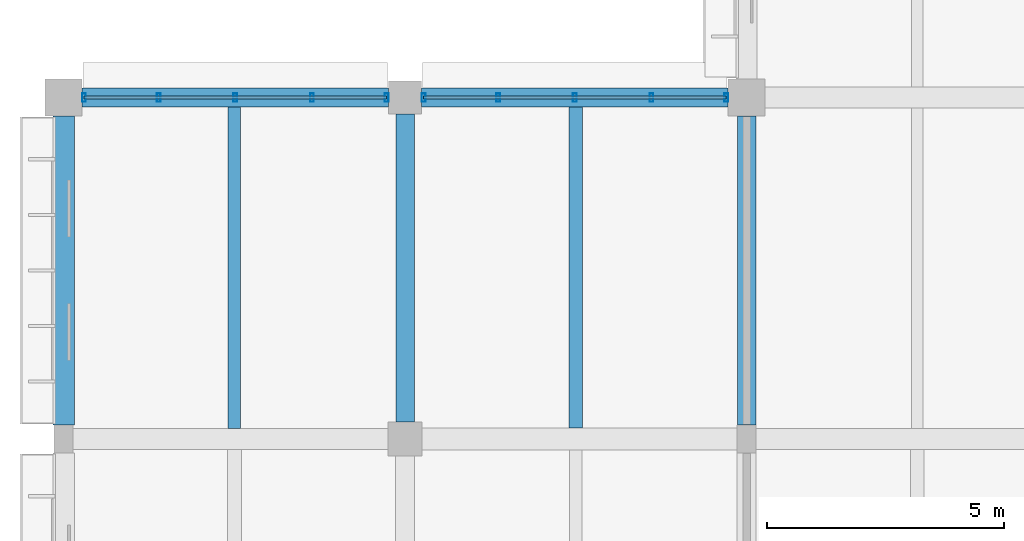
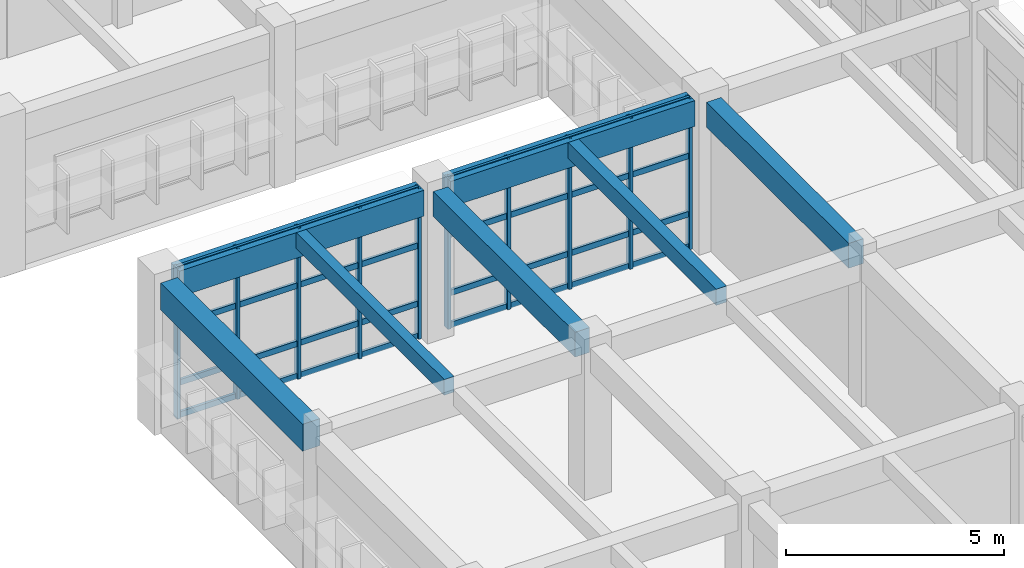
# One storey, part 51 of 171: 18 members, 7 beams, 2 elements without a shape of their own.
"""IFC4 building model written with IfcOpenShell, lengths in metres."""

import ifcopenshell
import ifcopenshell.guid

model = None  # the IFC model being written
_history = None  # IfcOwnerHistory: only IFC2X3 demands one
_inside = {}  # id of a spatial element -> (the spatial element, [elements in it])
_under = {}  # id of a project, library or spatial element -> (it, [spatial elements below it])
_declared = {}  # id of a project -> (the project, [libraries it declares])
_typed = {}  # id of a type object -> (the type object, [elements of that type])
_made_of = {}  # id of a material, layer set ... -> (it, [elements and type objects made of it])


def new_model(schema):
    """Start an empty IFC model of exactly this schema.

    Asked for "IFC4X3", IfcOpenShell would pick the latest addendum, in which some entities
    have other attributes; the version numbers below select the first issue.
    IFC2X3 requires an IfcOwnerHistory on every rooted entity: one is made here for all.
    """
    global model, _history
    if schema == "IFC4X3":
        model = ifcopenshell.file(schema_version=(4, 3, 0, 0))
    else:
        model = ifcopenshell.file(schema=schema)
    _inside.clear()
    _under.clear()
    _declared.clear()
    _typed.clear()
    _made_of.clear()
    _history = None
    if model.schema == "IFC2X3":
        org = make("IfcOrganization", Name="unknown")
        user = make(
            "IfcPersonAndOrganization",
            ThePerson=make("IfcPerson", FamilyName="unknown"),
            TheOrganization=org,
        )
        app = make(
            "IfcApplication",
            ApplicationDeveloper=org,
            Version="unknown",
            ApplicationFullName="unknown",
            ApplicationIdentifier="unknown",
        )
        _history = make(
            "IfcOwnerHistory",
            OwningUser=user,
            OwningApplication=app,
            ChangeAction="ADDED",
            CreationDate=0,
        )
    return model


def make(cls, **values):
    """One entity of the class cls with the attributes given. An attribute that is None is left unset."""
    return model.create_entity(
        cls, **{name: value for name, value in values.items() if value is not None}
    )


def rooted(cls, **values):
    """An entity with a GlobalId (a new one), such as an element, a storey or a relation."""
    return make(cls, GlobalId=ifcopenshell.guid.new(), OwnerHistory=_history, **values)


def si_unit(unit_type, name, prefix=None):
    """IfcSIUnit, for example si_unit("LENGTHUNIT", "METRE", prefix="MILLI")."""
    return make("IfcSIUnit", UnitType=unit_type, Prefix=prefix, Name=name)


def assignment(units):
    """IfcUnitAssignment: the units of a project."""
    return None if units is None else make("IfcUnitAssignment", Units=units)


def point(xyz):
    """IfcCartesianPoint."""
    return None if xyz is None else make("IfcCartesianPoint", Coordinates=xyz)


def direction(xyz):
    """IfcDirection."""
    return None if xyz is None else make("IfcDirection", DirectionRatios=xyz)


def frame(location, z_axis=None, x_axis=None):
    """IfcAxis2Placement3D, a coordinate frame: its origin and axes. An axis left out is left unset."""
    return make(
        "IfcAxis2Placement3D",
        Location=point(location),
        Axis=direction(z_axis),
        RefDirection=direction(x_axis),
    )


def frame_2d(location, x_axis=None):
    """IfcAxis2Placement2D, a coordinate frame in the plane: its origin and x axis."""
    return make(
        "IfcAxis2Placement2D", Location=point(location), RefDirection=direction(x_axis)
    )


def origin():
    """The frame at (0, 0, 0) with its axes left unset."""
    return frame((0.0, 0.0, 0.0))


def origin_2d():
    """The frame at (0, 0) in the plane with its x axis left unset."""
    return frame_2d((0.0, 0.0))


def place(relative_to, where):
    """IfcLocalPlacement: puts the frame where relative to a parent placement (None: the world)."""
    return make(
        "IfcLocalPlacement", PlacementRelTo=relative_to, RelativePlacement=where
    )


def context(
    kind, dimensions, precision=None, world=None, true_north=None, identifier=None
):
    """IfcGeometricRepresentationContext, for example the 3D "Model" context."""
    return make(
        "IfcGeometricRepresentationContext",
        ContextIdentifier=identifier,
        ContextType=kind,
        CoordinateSpaceDimension=dimensions,
        Precision=precision,
        WorldCoordinateSystem=world,
        TrueNorth=true_north,
    )


def subcontext(parent, identifier, kind, view, scale=None):
    """IfcGeometricRepresentationSubContext, for example "Body" below "Model"."""
    return make(
        "IfcGeometricRepresentationSubContext",
        ContextIdentifier=identifier,
        ContextType=kind,
        ParentContext=parent,
        TargetScale=scale,
        TargetView=view,
    )


def project(units=None, contexts=None):
    """IfcProject with its units and contexts."""
    return rooted(
        "IfcProject",
        Name="project",
        RepresentationContexts=contexts,
        UnitsInContext=assignment(units),
    )


def spatial(cls, under=None, at=None, **own):
    """A site, building, storey or space (cls), placed at a placement, below another one or the project."""
    s = rooted(cls, ObjectPlacement=at, **own)
    if under is not None:
        _under.setdefault(under.id(), (under, []))[1].append(s)
    return s


def profile(cls, at=None, kind="AREA", **sizes):
    """A parametric profile (cls). Its sizes go by their IFC names, for example OverallWidth=200.0."""
    return make(cls, ProfileType=kind, Position=at, **sizes)


def rectangle(**sizes):
    """IfcRectangleProfileDef."""
    return profile("IfcRectangleProfileDef", **sizes)


def hollow_rectangle(**sizes):
    """IfcRectangleHollowProfileDef."""
    return profile("IfcRectangleHollowProfileDef", **sizes)


def extrude(swept, where, along, depth):
    """IfcExtrudedAreaSolid: the profile swept, set in the frame where, extruded along a direction by depth."""
    return make(
        "IfcExtrudedAreaSolid",
        SweptArea=swept,
        Position=where,
        ExtrudedDirection=direction(along),
        Depth=depth,
    )


def shape(context_of_items, identifier, shape_type, items):
    """IfcShapeRepresentation: the items that make up one representation, for example the "Body"."""
    return make(
        "IfcShapeRepresentation",
        ContextOfItems=context_of_items,
        RepresentationIdentifier=identifier,
        RepresentationType=shape_type,
        Items=items,
    )


def material(Name=None, Category=None):
    """IfcMaterial."""
    return make("IfcMaterial", Name=Name, Category=Category)


def material_profile(
    of_material, cross_section, Name=None, Category=None, Priority=None
):
    """IfcMaterialProfile: a cross section and its material."""
    return make(
        "IfcMaterialProfile",
        Name=Name,
        Material=of_material,
        Profile=cross_section,
        Priority=Priority,
        Category=Category,
    )


def profile_set(profiles, Name=None, composite=None):
    """IfcMaterialProfileSet."""
    return make(
        "IfcMaterialProfileSet",
        Name=Name,
        MaterialProfiles=profiles,
        CompositeProfile=composite,
    )


def made_of(thing, what):
    """Note that an element or type object is made of a material, layer set ...; save() writes the relation."""
    if what is not None:
        _made_of.setdefault(what.id(), (what, []))[1].append(thing)
    return thing


def type_object(cls, material=None, **own):
    """A type object (cls), such as IfcWallType, which elements share."""
    return made_of(rooted(cls, **own), material)


def element(
    cls,
    number,
    at=None,
    inside=None,
    cuts=None,
    type_object=None,
    material=None,
    context=None,
    identifier="Body",
    shape_type=None,
    held_by="IfcProductDefinitionShape",
    body=None,
    shapes=None,
    **own,
):
    """One element of the class cls, such as IfcWall. Its Tag is "e" and its number.

    at: its placement. inside: the storey or other place that contains it. cuts: it is an
    opening in that element (IfcRelVoidsElement). A single representation is given by context,
    identifier, shape_type and body (its items); several are given by shapes. held_by: the class
    of the entity that holds the representations. save() writes the other relations.
    """
    e = rooted(cls, Tag="e%d" % number, ObjectPlacement=at, **own)
    if body is not None:
        shapes = [shape(context, identifier, shape_type, body)]
    if shapes is not None:
        e.Representation = make(held_by, Representations=shapes)
    if inside is not None:
        _inside.setdefault(inside.id(), (inside, []))[1].append(e)
    if cuts is not None:
        rooted(
            "IfcRelVoidsElement", RelatingBuildingElement=cuts, RelatedOpeningElement=e
        )
    if type_object is not None:
        _typed.setdefault(type_object.id(), (type_object, []))[1].append(e)
    return made_of(e, material)


def aggregate(whole, parts):
    """IfcRelAggregates: a whole, such as a stair, and the parts it consists of."""
    return rooted("IfcRelAggregates", RelatingObject=whole, RelatedObjects=parts)


def save(model, path):
    """Write the relations noted so far, then the file.

    IfcRelAggregates (storeys below a building ...), IfcRelContainedInSpatialStructure (elements
    in a storey), IfcRelDefinesByType, IfcRelAssociatesMaterial and IfcRelDeclares: one each for
    every whole, place, type object, material and project.
    """
    for whole, parts in _under.values():
        aggregate(whole, parts)
    for where, things in _inside.values():
        rooted(
            "IfcRelContainedInSpatialStructure",
            RelatedElements=things,
            RelatingStructure=where,
        )
    for kind, things in _typed.values():
        rooted("IfcRelDefinesByType", RelatedObjects=things, RelatingType=kind)
    for what, things in _made_of.values():
        rooted("IfcRelAssociatesMaterial", RelatedObjects=things, RelatingMaterial=what)
    for by, libraries in _declared.values():
        rooted("IfcRelDeclares", RelatingContext=by, RelatedDefinitions=libraries)
    model.write(path)


model = new_model("IFC4")

# Units and contexts
model_context = context("Model", 3, precision=1e-05, world=origin(), true_north=direction((0.0, 1.0)))
body_context = subcontext(model_context, "Body", "Model", "MODEL_VIEW")
ifc_project = project(units=[si_unit("LENGTHUNIT", "METRE"), si_unit("AREAUNIT", "SQUARE_METRE"), si_unit("VOLUMEUNIT", "CUBIC_METRE"), si_unit("PLANEANGLEUNIT", "RADIAN"), si_unit("MASSUNIT", "GRAM", prefix="KILO")], contexts=[model_context])

# Site, building, storey
site_placement = place(None, origin())
site = spatial("IfcSite", under=ifc_project, at=site_placement, CompositionType="ELEMENT")
building_placement = place(site_placement, origin())
building = spatial("IfcBuilding", under=site, at=building_placement, Name="Thalmaran Polytechnic", CompositionType="ELEMENT")
storey_placement = place(building_placement, frame((0.0, 0.0, 5.39990234375)))
storey = spatial("IfcBuildingStorey", under=building, at=storey_placement, Name="L01", CompositionType="ELEMENT", Elevation=5.39990234375)

# Beams
ifc_material_1 = material(Name="Concrete C40/50", Category="concrete")
ifc_material_profile_1 = material_profile(ifc_material_1, rectangle(XDim=0.389892578125, YDim=0.695068359375, at=origin_2d()), Name="RC 390x695")
ifc_profile_set_1 = profile_set([ifc_material_profile_1], Name="Concrete C40/50")
beam_type_1 = type_object("IfcBeamType", Name="BM-RC10", PredefinedType="BEAM", material=ifc_profile_set_1)
beam_1_placement = place(storey_placement, frame((7.199951171875, 79.56005859375, 3.862548828125), z_axis=(0.0, 1.0, 0.0), x_axis=(-1.0, 0.0, 0.0)))
element("IfcBeam", 1, at=beam_1_placement, inside=storey, type_object=beam_type_1, Name="Grid Beam B10 L01 Y(1,11)", PredefinedType="BEAM", context=body_context, shape_type="SweptSolid", body=[
    extrude(rectangle(XDim=0.389892578125, YDim=0.695068359375, at=origin_2d()), origin(), (0.0, 0.0, 1.0), 6.489990234375),
])
beam_2_placement = place(storey_placement, frame((14.39990234375, 79.5, 3.862548828125), z_axis=(0.0, 1.0, 0.0), x_axis=(-1.0, 0.0, 0.0)))
element("IfcBeam", 2, at=beam_2_placement, inside=storey, type_object=beam_type_1, Name="Grid Beam B10 L01 Y(2,11)", PredefinedType="BEAM", context=body_context, shape_type="SweptSolid", body=[
    extrude(rectangle(XDim=0.389892578125, YDim=0.695068359375, at=origin_2d()), origin(), (0.0, 0.0, 1.0), 6.510009765625),
])
ifc_material_profile_2 = material_profile(ifc_material_1, rectangle(XDim=0.280029296875, YDim=0.449951171875, at=origin_2d()), Name="RC 280x450")
ifc_profile_set_2 = profile_set([ifc_material_profile_2], Name="Concrete C40/50")
beam_type_2 = type_object("IfcBeamType", Name="BM-RC13", PredefinedType="JOIST", material=ifc_profile_set_2)
beam_3_placement = place(storey_placement, frame((10.800048828125, 79.429931640625, 3.985107421875), z_axis=(0.0, 1.0, 0.0), x_axis=(-1.0, 0.0, 0.0)))
element("IfcBeam", 3, at=beam_3_placement, inside=storey, type_object=beam_type_2, Name="Secondary Floor Rib RB03 L01 (1,11)", PredefinedType="JOIST", context=body_context, shape_type="SweptSolid", body=[
    extrude(rectangle(XDim=0.280029296875, YDim=0.449951171875, at=origin_2d()), origin(), (0.0, 0.0, 1.0), 6.77001953125),
])
ifc_material_profile_3 = material_profile(ifc_material_1, rectangle(XDim=0.39990234375, YDim=0.719970703125, at=origin_2d()), Name="RC 400x720")
ifc_profile_set_3 = profile_set([ifc_material_profile_3], Name="Concrete C40/50")
beam_type_3 = type_object("IfcBeamType", Name="BM-SP01", PredefinedType="SPANDREL", material=ifc_profile_set_3)
beam_4_placement = place(storey_placement, frame((0.389892578125, 86.39990234375, 3.85009765625), z_axis=(1.0, 0.0, 0.0), x_axis=(0.0, 1.0, 0.0)))
element("IfcBeam", 4, at=beam_4_placement, inside=storey, type_object=beam_type_3, Name="Grid Beam SP01 L01 X(0,12)", PredefinedType="SPANDREL", context=body_context, shape_type="SweptSolid", body=[
    extrude(rectangle(XDim=0.39990234375, YDim=0.719970703125, at=origin_2d()), origin(), (0.0, 0.0, 1.0), 6.460205078125),
])
beam_5_placement = place(storey_placement, frame((7.550048828125, 86.39990234375, 3.85009765625), z_axis=(1.0, 0.0, 0.0), x_axis=(0.0, 1.0, 0.0)))
element("IfcBeam", 5, at=beam_5_placement, inside=storey, type_object=beam_type_3, Name="Grid Beam SP01 L01 X(1,12)", PredefinedType="SPANDREL", context=body_context, shape_type="SweptSolid", body=[
    extrude(rectangle(XDim=0.39990234375, YDim=0.719970703125, at=origin_2d()), origin(), (0.0, 0.0, 1.0), 6.4599609375),
])
ifc_material_profile_4 = material_profile(ifc_material_1, rectangle(XDim=0.449951171875, YDim=0.7548828125, at=origin_2d()), Name="RC 450x755")
ifc_profile_set_4 = profile_set([ifc_material_profile_4], Name="Concrete C40/50")
beam_type_4 = type_object("IfcBeamType", Name="BM-SP02", PredefinedType="SPANDREL", material=ifc_profile_set_4)
beam_6_placement = place(storey_placement, frame((0.0, 79.5, 3.83251953125), z_axis=(0.0, 1.0, 0.0), x_axis=(-1.0, 0.0, 0.0)))
element("IfcBeam", 6, at=beam_6_placement, inside=storey, type_object=beam_type_4, Name="Grid Beam SP02 L01 Y(0,11)", PredefinedType="SPANDREL", context=body_context, shape_type="SweptSolid", body=[
    extrude(rectangle(XDim=0.449951171875, YDim=0.7548828125, at=origin_2d()), origin(), (0.0, 0.0, 1.0), 6.510009765625),
])
ifc_material_profile_5 = material_profile(ifc_material_1, rectangle(XDim=0.260009765625, YDim=0.43994140625, at=origin_2d()), Name="RC 260x440")
ifc_profile_set_5 = profile_set([ifc_material_profile_5], Name="Concrete C40/50")
beam_type_5 = type_object("IfcBeamType", Name="BM-ZJ02", PredefinedType="JOIST", material=ifc_profile_set_5)
beam_7_placement = place(storey_placement, frame((3.60009765625, 79.425048828125, 3.989990234375), z_axis=(0.0, 1.0, 0.0), x_axis=(-1.0, 0.0, 0.0)))
element("IfcBeam", 7, at=beam_7_placement, inside=storey, type_object=beam_type_5, Name="Secondary Floor Rib ZJ02 L01 (0,11)", PredefinedType="JOIST", context=body_context, shape_type="SweptSolid", body=[
    extrude(rectangle(XDim=0.260009765625, YDim=0.43994140625, at=origin_2d()), origin(), (0.0, 0.0, 1.0), 6.77490234375),
])

# Curtain wall, members
ifc_material_2 = material(Name="Aluminium 6063-T6", Category="aluminium")
curtain_wall_type = type_object("IfcCurtainWallType", Name="CW-UC02", PredefinedType="USERDEFINED", material=ifc_material_2)
curtain_wall_1_placement = place(storey_placement, origin())
curtain_wall_1 = element("IfcCurtainWall", 8, at=curtain_wall_1_placement, inside=storey, type_object=curtain_wall_type, Name="Curtain Wall CW-L01-078", ObjectType="UNITISED CURTAIN WALL", PredefinedType="USERDEFINED")
ifc_material_profile_6 = material_profile(ifc_material_2, hollow_rectangle(XDim=0.080078125, YDim=0.179931640625, WallThickness=0.0048828125, at=origin_2d()), Name="RHS 180x80x5.0")
ifc_profile_set_6 = profile_set([ifc_material_profile_6], Name="Aluminium 6063-T6")
member_type_1 = type_object("IfcMemberType", Name="CW-MUL1", PredefinedType="MULLION", material=ifc_profile_set_6)
member_1_placement = place(storey_placement, frame((0.429931640625, 86.39990234375, 0.0), z_axis=(0.0, 0.0, 1.0), x_axis=(1.0, 0.0, 0.0)))
member_1 = element("IfcMember", 9, at=member_1_placement, type_object=member_type_1, Name="CW-L01-078 Mullion 1", PredefinedType="MULLION", context=body_context, shape_type="SweptSolid", body=[
    extrude(hollow_rectangle(XDim=0.080078125, YDim=0.179931640625, WallThickness=0.0048828125, at=origin_2d()), origin(), (0.0, 0.0, 1.0), 4.210205078125),
])
member_2_placement = place(storey_placement, frame((2.0048828125, 86.39990234375, 0.0), z_axis=(0.0, 0.0, 1.0), x_axis=(1.0, 0.0, 0.0)))
member_2 = element("IfcMember", 10, at=member_2_placement, type_object=member_type_1, Name="CW-L01-078 Mullion 2", PredefinedType="MULLION", context=body_context, shape_type="SweptSolid", body=[
    extrude(hollow_rectangle(XDim=0.080078125, YDim=0.179931640625, WallThickness=0.0048828125, at=origin_2d()), origin(), (0.0, 0.0, 1.0), 4.210205078125),
])
member_3_placement = place(storey_placement, frame((3.6201171875, 86.39990234375, 0.0), z_axis=(0.0, 0.0, 1.0), x_axis=(1.0, 0.0, 0.0)))
member_3 = element("IfcMember", 11, at=member_3_placement, type_object=member_type_1, Name="CW-L01-078 Mullion 3", PredefinedType="MULLION", context=body_context, shape_type="SweptSolid", body=[
    extrude(hollow_rectangle(XDim=0.080078125, YDim=0.179931640625, WallThickness=0.0048828125, at=origin_2d()), origin(), (0.0, 0.0, 1.0), 4.210205078125),
])
member_4_placement = place(storey_placement, frame((5.235107421875, 86.39990234375, 0.0), z_axis=(0.0, 0.0, 1.0), x_axis=(1.0, 0.0, 0.0)))
member_4 = element("IfcMember", 12, at=member_4_placement, type_object=member_type_1, Name="CW-L01-078 Mullion 4", PredefinedType="MULLION", context=body_context, shape_type="SweptSolid", body=[
    extrude(hollow_rectangle(XDim=0.080078125, YDim=0.179931640625, WallThickness=0.0048828125, at=origin_2d()), origin(), (0.0, 0.0, 1.0), 4.210205078125),
])
member_5_placement = place(storey_placement, frame((6.81005859375, 86.39990234375, 0.0), z_axis=(0.0, 0.0, 1.0), x_axis=(1.0, 0.0, 0.0)))
member_5 = element("IfcMember", 13, at=member_5_placement, type_object=member_type_1, Name="CW-L01-078 Mullion 5", PredefinedType="MULLION", context=body_context, shape_type="SweptSolid", body=[
    extrude(hollow_rectangle(XDim=0.080078125, YDim=0.179931640625, WallThickness=0.0048828125, at=origin_2d()), origin(), (0.0, 0.0, 1.0), 4.210205078125),
])

curtain_wall_2_placement = place(storey_placement, origin())
curtain_wall_2 = element("IfcCurtainWall", 14, at=curtain_wall_2_placement, inside=storey, type_object=curtain_wall_type, Name="Curtain Wall CW-L01-079", ObjectType="UNITISED CURTAIN WALL", PredefinedType="USERDEFINED")
member_6_placement = place(storey_placement, frame((7.590087890625, 86.39990234375, 0.0), z_axis=(0.0, 0.0, 1.0), x_axis=(1.0, 0.0, 0.0)))
member_6 = element("IfcMember", 15, at=member_6_placement, type_object=member_type_1, Name="CW-L01-079 Mullion 1", PredefinedType="MULLION", context=body_context, shape_type="SweptSolid", body=[
    extrude(hollow_rectangle(XDim=0.080078125, YDim=0.179931640625, WallThickness=0.0048828125, at=origin_2d()), origin(), (0.0, 0.0, 1.0), 4.210205078125),
])
member_7_placement = place(storey_placement, frame((9.1650390625, 86.39990234375, 0.0), z_axis=(0.0, 0.0, 1.0), x_axis=(1.0, 0.0, 0.0)))
member_7 = element("IfcMember", 16, at=member_7_placement, type_object=member_type_1, Name="CW-L01-079 Mullion 2", PredefinedType="MULLION", context=body_context, shape_type="SweptSolid", body=[
    extrude(hollow_rectangle(XDim=0.080078125, YDim=0.179931640625, WallThickness=0.0048828125, at=origin_2d()), origin(), (0.0, 0.0, 1.0), 4.210205078125),
])
member_8_placement = place(storey_placement, frame((10.780029296875, 86.39990234375, 0.0), z_axis=(0.0, 0.0, 1.0), x_axis=(1.0, 0.0, 0.0)))
member_8 = element("IfcMember", 17, at=member_8_placement, type_object=member_type_1, Name="CW-L01-079 Mullion 3", PredefinedType="MULLION", context=body_context, shape_type="SweptSolid", body=[
    extrude(hollow_rectangle(XDim=0.080078125, YDim=0.179931640625, WallThickness=0.0048828125, at=origin_2d()), origin(), (0.0, 0.0, 1.0), 4.210205078125),
])
member_9_placement = place(storey_placement, frame((12.39501953125, 86.39990234375, 0.0), z_axis=(0.0, 0.0, 1.0), x_axis=(1.0, 0.0, 0.0)))
member_9 = element("IfcMember", 18, at=member_9_placement, type_object=member_type_1, Name="CW-L01-079 Mullion 4", PredefinedType="MULLION", context=body_context, shape_type="SweptSolid", body=[
    extrude(hollow_rectangle(XDim=0.080078125, YDim=0.179931640625, WallThickness=0.0048828125, at=origin_2d()), origin(), (0.0, 0.0, 1.0), 4.210205078125),
])
member_10_placement = place(storey_placement, frame((13.969970703125, 86.39990234375, 0.0), z_axis=(0.0, 0.0, 1.0), x_axis=(1.0, 0.0, 0.0)))
member_10 = element("IfcMember", 19, at=member_10_placement, type_object=member_type_1, Name="CW-L01-079 Mullion 5", PredefinedType="MULLION", context=body_context, shape_type="SweptSolid", body=[
    extrude(hollow_rectangle(XDim=0.080078125, YDim=0.179931640625, WallThickness=0.0048828125, at=origin_2d()), origin(), (0.0, 0.0, 1.0), 4.210205078125),
])

# Member
ifc_material_profile_7 = material_profile(ifc_material_2, hollow_rectangle(XDim=0.070068359375, YDim=0.159912109375, WallThickness=0.00390625, at=origin_2d()), Name="AL 160x70x4.0")
ifc_profile_set_7 = profile_set([ifc_material_profile_7], Name="Aluminium 6063-T6")
member_type_2 = type_object("IfcMemberType", Name="CW-TRN1", PredefinedType="USERDEFINED", material=ifc_profile_set_7)
member_11_placement = place(storey_placement, frame((0.429931640625, 86.39990234375, 0.06005859375), z_axis=(1.0, 0.0, 0.0), x_axis=(0.0, 1.0, 0.0)))
member_11 = element("IfcMember", 20, at=member_11_placement, type_object=member_type_2, Name="CW-L01-078 Transom 1", ObjectType="TRANSOM", PredefinedType="USERDEFINED", context=body_context, shape_type="SweptSolid", body=[
    extrude(hollow_rectangle(XDim=0.070068359375, YDim=0.159912109375, WallThickness=0.00390625, at=origin_2d()), origin(), (0.0, 0.0, 1.0), 6.380126953125),
])

member_12_placement = place(storey_placement, frame((0.429931640625, 86.39990234375, 0.960205078125), z_axis=(1.0, 0.0, 0.0), x_axis=(0.0, 1.0, 0.0)))
member_12 = element("IfcMember", 21, at=member_12_placement, type_object=member_type_2, Name="CW-L01-078 Transom 2", ObjectType="TRANSOM", PredefinedType="USERDEFINED", context=body_context, shape_type="SweptSolid", body=[
    extrude(hollow_rectangle(XDim=0.070068359375, YDim=0.159912109375, WallThickness=0.00390625, at=origin_2d()), origin(), (0.0, 0.0, 1.0), 6.380126953125),
])

member_13_placement = place(storey_placement, frame((0.429931640625, 86.39990234375, 2.585205078125), z_axis=(1.0, 0.0, 0.0), x_axis=(0.0, 1.0, 0.0)))
member_13 = element("IfcMember", 22, at=member_13_placement, type_object=member_type_2, Name="CW-L01-078 Transom 3", ObjectType="TRANSOM", PredefinedType="USERDEFINED", context=body_context, shape_type="SweptSolid", body=[
    extrude(hollow_rectangle(XDim=0.070068359375, YDim=0.159912109375, WallThickness=0.00390625, at=origin_2d()), origin(), (0.0, 0.0, 1.0), 6.380126953125),
])

member_14_placement = place(storey_placement, frame((0.429931640625, 86.39990234375, 4.150146484375), z_axis=(1.0, 0.0, 0.0), x_axis=(0.0, 1.0, 0.0)))
member_14 = element("IfcMember", 23, at=member_14_placement, type_object=member_type_2, Name="CW-L01-078 Transom 4", ObjectType="TRANSOM", PredefinedType="USERDEFINED", context=body_context, shape_type="SweptSolid", body=[
    extrude(hollow_rectangle(XDim=0.070068359375, YDim=0.159912109375, WallThickness=0.00390625, at=origin_2d()), origin(), (0.0, 0.0, 1.0), 6.380126953125),
])

aggregate(curtain_wall_1, [member_1, member_2, member_3, member_4, member_5, member_11, member_12, member_13, member_14])

member_15_placement = place(storey_placement, frame((7.590087890625, 86.39990234375, 0.06005859375), z_axis=(1.0, 0.0, 0.0), x_axis=(0.0, 1.0, 0.0)))
member_15 = element("IfcMember", 24, at=member_15_placement, type_object=member_type_2, Name="CW-L01-079 Transom 1", ObjectType="TRANSOM", PredefinedType="USERDEFINED", context=body_context, shape_type="SweptSolid", body=[
    extrude(hollow_rectangle(XDim=0.070068359375, YDim=0.159912109375, WallThickness=0.00390625, at=origin_2d()), origin(), (0.0, 0.0, 1.0), 6.3798828125),
])

member_16_placement = place(storey_placement, frame((7.590087890625, 86.39990234375, 0.960205078125), z_axis=(1.0, 0.0, 0.0), x_axis=(0.0, 1.0, 0.0)))
member_16 = element("IfcMember", 25, at=member_16_placement, type_object=member_type_2, Name="CW-L01-079 Transom 2", ObjectType="TRANSOM", PredefinedType="USERDEFINED", context=body_context, shape_type="SweptSolid", body=[
    extrude(hollow_rectangle(XDim=0.070068359375, YDim=0.159912109375, WallThickness=0.00390625, at=origin_2d()), origin(), (0.0, 0.0, 1.0), 6.3798828125),
])

member_17_placement = place(storey_placement, frame((7.590087890625, 86.39990234375, 2.585205078125), z_axis=(1.0, 0.0, 0.0), x_axis=(0.0, 1.0, 0.0)))
member_17 = element("IfcMember", 26, at=member_17_placement, type_object=member_type_2, Name="CW-L01-079 Transom 3", ObjectType="TRANSOM", PredefinedType="USERDEFINED", context=body_context, shape_type="SweptSolid", body=[
    extrude(hollow_rectangle(XDim=0.070068359375, YDim=0.159912109375, WallThickness=0.00390625, at=origin_2d()), origin(), (0.0, 0.0, 1.0), 6.3798828125),
])

member_18_placement = place(storey_placement, frame((7.590087890625, 86.39990234375, 4.150146484375), z_axis=(1.0, 0.0, 0.0), x_axis=(0.0, 1.0, 0.0)))
member_18 = element("IfcMember", 27, at=member_18_placement, type_object=member_type_2, Name="CW-L01-079 Transom 4", ObjectType="TRANSOM", PredefinedType="USERDEFINED", context=body_context, shape_type="SweptSolid", body=[
    extrude(hollow_rectangle(XDim=0.070068359375, YDim=0.159912109375, WallThickness=0.00390625, at=origin_2d()), origin(), (0.0, 0.0, 1.0), 6.3798828125),
])

aggregate(curtain_wall_2, [member_6, member_7, member_8, member_9, member_10, member_15, member_16, member_17, member_18])

save(model, "model.ifc")
